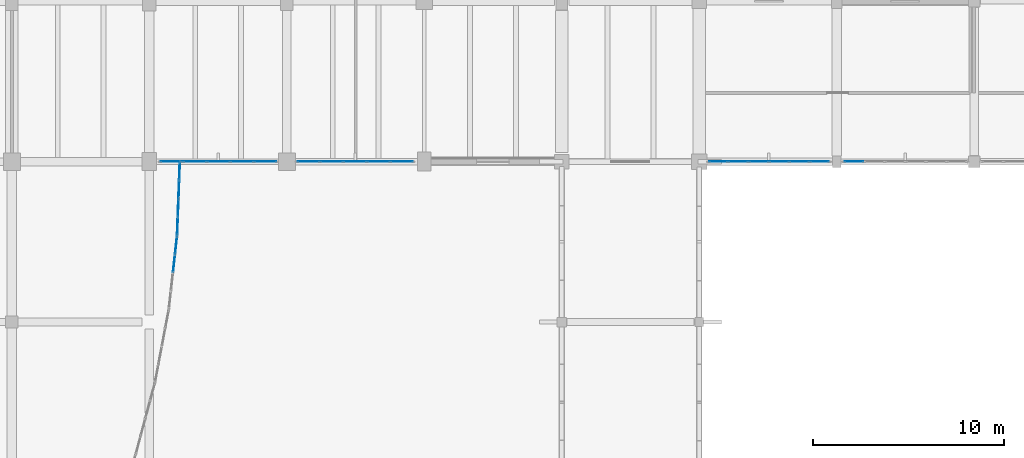
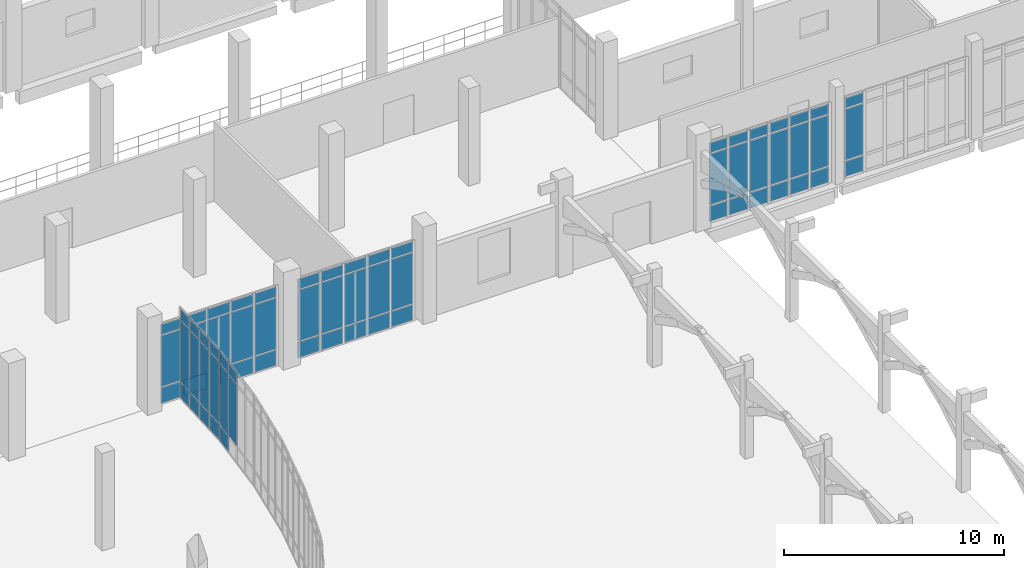
# One storey, part 84 of 110: 68 plates, 6 elements without a shape of their own.
"""IFC4 building model written with IfcOpenShell, lengths in metres."""

from ifc_helpers import new_model, si_unit, direction, frame, origin, origin_2d, place, context, subcontext, project, spatial, rectangle, extrude, material, layer, layer_set, type_object, element, aggregate, save


model = new_model("IFC4")

# Units and contexts
model_context = context("Model", 3, precision=1e-05, world=origin(), true_north=direction((0.0, 1.0)))
body_context = subcontext(model_context, "Body", "Model", "MODEL_VIEW")
ifc_project = project(units=[si_unit("LENGTHUNIT", "METRE"), si_unit("AREAUNIT", "SQUARE_METRE"), si_unit("VOLUMEUNIT", "CUBIC_METRE"), si_unit("PLANEANGLEUNIT", "RADIAN"), si_unit("MASSUNIT", "GRAM", prefix="KILO")], contexts=[model_context])

# Site, building, storey
site_placement = place(None, origin())
site = spatial("IfcSite", under=ifc_project, at=site_placement, CompositionType="ELEMENT")
building_placement = place(site_placement, origin())
building = spatial("IfcBuilding", under=site, at=building_placement, Name="Kalluvel Institute of Natural Sciences", CompositionType="ELEMENT")
storey_placement = place(building_placement, origin())
storey = spatial("IfcBuildingStorey", under=building, at=storey_placement, Name="L00", CompositionType="ELEMENT", Elevation=0.0)

# Curtain wall, plates
ifc_material_1 = material(Name="Aluminium AW-6063 T6", Category="aluminium")
curtain_wall_type_1 = type_object("IfcCurtainWallType", Name="CW-WET-54", PredefinedType="USERDEFINED", material=ifc_material_1)
curtain_wall_1_placement = place(storey_placement, origin())
curtain_wall_1 = element("IfcCurtainWall", 1, at=curtain_wall_1_placement, inside=storey, type_object=curtain_wall_type_1, Name="L00 Gothic lancet curtain wall CWA-L00-X865-Y1028", ObjectType="UNITISED LANCET FACADE", PredefinedType="USERDEFINED")
ifc_material_2 = material(Name="Solar-Control Low-E Laminated Glass", Category="glass")
ifc_layer_1 = layer(ifc_material_2, 0.028076171875)
ifc_layer_set_1 = layer_set([ifc_layer_1], Name="Solar-Control Low-E Laminated Glass")
plate_type_1 = type_object("IfcPlateType", Name="CWP-DGU-28", PredefinedType="CURTAIN_PANEL", material=ifc_layer_set_1)
plate_1_placement = place(storey_placement, frame((87.157470703125, 102.800048828125, 0.06005859375), z_axis=(0.0, 0.0, 1.0), x_axis=(1.0, 0.0, 0.0)))
plate_1 = element("IfcPlate", 2, at=plate_1_placement, type_object=plate_type_1, Name="CW-02 panel 1.1", PredefinedType="CURTAIN_PANEL", context=body_context, shape_type="SweptSolid", body=[
    extrude(rectangle(XDim=1.14501953125, YDim=0.028076171875, at=origin_2d()), origin(), (0.0, 0.0, 1.0), 0.860107421875),
])
plate_2_placement = place(storey_placement, frame((87.157470703125, 102.800048828125, 0.97998046875), z_axis=(0.0, 0.0, 1.0), x_axis=(1.0, 0.0, 0.0)))
plate_2 = element("IfcPlate", 3, at=plate_2_placement, type_object=plate_type_1, Name="CW-02 panel 1.2", PredefinedType="CURTAIN_PANEL", context=body_context, shape_type="SweptSolid", body=[
    extrude(rectangle(XDim=1.14501953125, YDim=0.028076171875, at=origin_2d()), origin(), (0.0, 0.0, 1.0), 2.820068359375),
])
plate_3_placement = place(storey_placement, frame((87.157470703125, 102.800048828125, 3.85986328125), z_axis=(0.0, 0.0, 1.0), x_axis=(1.0, 0.0, 0.0)))
plate_3 = element("IfcPlate", 4, at=plate_3_placement, type_object=plate_type_1, Name="CW-02 panel 1.3", PredefinedType="CURTAIN_PANEL", context=body_context, shape_type="SweptSolid", body=[
    extrude(rectangle(XDim=1.14501953125, YDim=0.028076171875, at=origin_2d()), origin(), (0.0, 0.0, 1.0), 0.56005859375),
])
plate_4_placement = place(storey_placement, frame((88.37744140625, 102.800048828125, 0.06005859375), z_axis=(0.0, 0.0, 1.0), x_axis=(1.0, 0.0, 0.0)))
plate_4 = element("IfcPlate", 5, at=plate_4_placement, type_object=plate_type_1, Name="CW-02 panel 2.1", PredefinedType="CURTAIN_PANEL", context=body_context, shape_type="SweptSolid", body=[
    extrude(rectangle(XDim=1.175048828125, YDim=0.028076171875, at=origin_2d()), origin(), (0.0, 0.0, 1.0), 0.860107421875),
])
plate_5_placement = place(storey_placement, frame((88.37744140625, 102.800048828125, 0.97998046875), z_axis=(0.0, 0.0, 1.0), x_axis=(1.0, 0.0, 0.0)))
plate_5 = element("IfcPlate", 6, at=plate_5_placement, type_object=plate_type_1, Name="CW-02 panel 2.2", PredefinedType="CURTAIN_PANEL", context=body_context, shape_type="SweptSolid", body=[
    extrude(rectangle(XDim=1.175048828125, YDim=0.028076171875, at=origin_2d()), origin(), (0.0, 0.0, 1.0), 2.820068359375),
])
plate_6_placement = place(storey_placement, frame((88.37744140625, 102.800048828125, 3.85986328125), z_axis=(0.0, 0.0, 1.0), x_axis=(1.0, 0.0, 0.0)))
plate_6 = element("IfcPlate", 7, at=plate_6_placement, type_object=plate_type_1, Name="CW-02 panel 2.3", PredefinedType="CURTAIN_PANEL", context=body_context, shape_type="SweptSolid", body=[
    extrude(rectangle(XDim=1.175048828125, YDim=0.028076171875, at=origin_2d()), origin(), (0.0, 0.0, 1.0), 0.56005859375),
])
plate_7_placement = place(storey_placement, frame((89.612548828125, 102.800048828125, 0.06005859375), z_axis=(0.0, 0.0, 1.0), x_axis=(1.0, 0.0, 0.0)))
plate_7 = element("IfcPlate", 8, at=plate_7_placement, type_object=plate_type_1, Name="CW-02 panel 3.1", PredefinedType="CURTAIN_PANEL", context=body_context, shape_type="SweptSolid", body=[
    extrude(rectangle(XDim=1.175048828125, YDim=0.028076171875, at=origin_2d()), origin(), (0.0, 0.0, 1.0), 0.860107421875),
])
plate_8_placement = place(storey_placement, frame((89.612548828125, 102.800048828125, 0.97998046875), z_axis=(0.0, 0.0, 1.0), x_axis=(1.0, 0.0, 0.0)))
plate_8 = element("IfcPlate", 9, at=plate_8_placement, type_object=plate_type_1, Name="CW-02 panel 3.2", PredefinedType="CURTAIN_PANEL", context=body_context, shape_type="SweptSolid", body=[
    extrude(rectangle(XDim=1.175048828125, YDim=0.028076171875, at=origin_2d()), origin(), (0.0, 0.0, 1.0), 2.820068359375),
])
plate_9_placement = place(storey_placement, frame((89.612548828125, 102.800048828125, 3.85986328125), z_axis=(0.0, 0.0, 1.0), x_axis=(1.0, 0.0, 0.0)))
plate_9 = element("IfcPlate", 10, at=plate_9_placement, type_object=plate_type_1, Name="CW-02 panel 3.3", PredefinedType="CURTAIN_PANEL", context=body_context, shape_type="SweptSolid", body=[
    extrude(rectangle(XDim=1.175048828125, YDim=0.028076171875, at=origin_2d()), origin(), (0.0, 0.0, 1.0), 0.56005859375),
])
plate_10_placement = place(storey_placement, frame((90.847412109375, 102.800048828125, 0.06005859375), z_axis=(0.0, 0.0, 1.0), x_axis=(1.0, 0.0, 0.0)))
plate_10 = element("IfcPlate", 11, at=plate_10_placement, type_object=plate_type_1, Name="CW-02 panel 4.1", PredefinedType="CURTAIN_PANEL", context=body_context, shape_type="SweptSolid", body=[
    extrude(rectangle(XDim=1.175048828125, YDim=0.028076171875, at=origin_2d()), origin(), (0.0, 0.0, 1.0), 0.860107421875),
])
plate_11_placement = place(storey_placement, frame((90.847412109375, 102.800048828125, 0.97998046875), z_axis=(0.0, 0.0, 1.0), x_axis=(1.0, 0.0, 0.0)))
plate_11 = element("IfcPlate", 12, at=plate_11_placement, type_object=plate_type_1, Name="CW-02 panel 4.2", PredefinedType="CURTAIN_PANEL", context=body_context, shape_type="SweptSolid", body=[
    extrude(rectangle(XDim=1.175048828125, YDim=0.028076171875, at=origin_2d()), origin(), (0.0, 0.0, 1.0), 2.820068359375),
])
plate_12_placement = place(storey_placement, frame((90.847412109375, 102.800048828125, 3.85986328125), z_axis=(0.0, 0.0, 1.0), x_axis=(1.0, 0.0, 0.0)))
plate_12 = element("IfcPlate", 13, at=plate_12_placement, type_object=plate_type_1, Name="CW-02 panel 4.3", PredefinedType="CURTAIN_PANEL", context=body_context, shape_type="SweptSolid", body=[
    extrude(rectangle(XDim=1.175048828125, YDim=0.028076171875, at=origin_2d()), origin(), (0.0, 0.0, 1.0), 0.56005859375),
])
plate_13_placement = place(storey_placement, frame((92.0673828125, 102.800048828125, 0.06005859375), z_axis=(0.0, 0.0, 1.0), x_axis=(1.0, 0.0, 0.0)))
plate_13 = element("IfcPlate", 14, at=plate_13_placement, type_object=plate_type_1, Name="CW-02 panel 5.1", PredefinedType="CURTAIN_PANEL", context=body_context, shape_type="SweptSolid", body=[
    extrude(rectangle(XDim=1.14501953125, YDim=0.028076171875, at=origin_2d()), origin(), (0.0, 0.0, 1.0), 0.860107421875),
])
plate_14_placement = place(storey_placement, frame((92.0673828125, 102.800048828125, 0.97998046875), z_axis=(0.0, 0.0, 1.0), x_axis=(1.0, 0.0, 0.0)))
plate_14 = element("IfcPlate", 15, at=plate_14_placement, type_object=plate_type_1, Name="CW-02 panel 5.2", PredefinedType="CURTAIN_PANEL", context=body_context, shape_type="SweptSolid", body=[
    extrude(rectangle(XDim=1.14501953125, YDim=0.028076171875, at=origin_2d()), origin(), (0.0, 0.0, 1.0), 2.820068359375),
])
plate_15_placement = place(storey_placement, frame((92.0673828125, 102.800048828125, 3.85986328125), z_axis=(0.0, 0.0, 1.0), x_axis=(1.0, 0.0, 0.0)))
plate_15 = element("IfcPlate", 16, at=plate_15_placement, type_object=plate_type_1, Name="CW-02 panel 5.3", PredefinedType="CURTAIN_PANEL", context=body_context, shape_type="SweptSolid", body=[
    extrude(rectangle(XDim=1.14501953125, YDim=0.028076171875, at=origin_2d()), origin(), (0.0, 0.0, 1.0), 0.56005859375),
])
aggregate(curtain_wall_1, [plate_1, plate_2, plate_3, plate_4, plate_5, plate_6, plate_7, plate_8, plate_9, plate_10, plate_11, plate_12, plate_13, plate_14, plate_15])

curtain_wall_2_placement = place(storey_placement, origin())
curtain_wall_2 = element("IfcCurtainWall", 17, at=curtain_wall_2_placement, inside=storey, type_object=curtain_wall_type_1, Name="L00 Gothic lancet curtain wall CWA-L00-X937-Y1028", ObjectType="UNITISED LANCET FACADE", PredefinedType="USERDEFINED")
plate_16_placement = place(storey_placement, frame((94.330078125, 102.800048828125, 0.06005859375), z_axis=(0.0, 0.0, 1.0), x_axis=(1.0, 0.0, 0.0)))
plate_16 = element("IfcPlate", 18, at=plate_16_placement, type_object=plate_type_1, Name="CW-02 panel 1.1", PredefinedType="CURTAIN_PANEL", context=body_context, shape_type="SweptSolid", body=[
    extrude(rectangle(XDim=1.139892578125, YDim=0.028076171875, at=origin_2d()), origin(), (0.0, 0.0, 1.0), 0.860107421875),
])
plate_17_placement = place(storey_placement, frame((94.330078125, 102.800048828125, 0.97998046875), z_axis=(0.0, 0.0, 1.0), x_axis=(1.0, 0.0, 0.0)))
plate_17 = element("IfcPlate", 19, at=plate_17_placement, type_object=plate_type_1, Name="CW-02 panel 1.2", PredefinedType="CURTAIN_PANEL", context=body_context, shape_type="SweptSolid", body=[
    extrude(rectangle(XDim=1.139892578125, YDim=0.028076171875, at=origin_2d()), origin(), (0.0, 0.0, 1.0), 2.820068359375),
])
plate_18_placement = place(storey_placement, frame((94.330078125, 102.800048828125, 3.85986328125), z_axis=(0.0, 0.0, 1.0), x_axis=(1.0, 0.0, 0.0)))
plate_18 = element("IfcPlate", 20, at=plate_18_placement, type_object=plate_type_1, Name="CW-02 panel 1.3", PredefinedType="CURTAIN_PANEL", context=body_context, shape_type="SweptSolid", body=[
    extrude(rectangle(XDim=1.139892578125, YDim=0.028076171875, at=origin_2d()), origin(), (0.0, 0.0, 1.0), 0.56005859375),
])
plate_19_placement = place(storey_placement, frame((95.544921875, 102.800048828125, 0.06005859375), z_axis=(0.0, 0.0, 1.0), x_axis=(1.0, 0.0, 0.0)))
plate_19 = element("IfcPlate", 21, at=plate_19_placement, type_object=plate_type_1, Name="CW-02 panel 2.1", PredefinedType="CURTAIN_PANEL", context=body_context, shape_type="SweptSolid", body=[
    extrude(rectangle(XDim=1.169921875, YDim=0.028076171875, at=origin_2d()), origin(), (0.0, 0.0, 1.0), 0.860107421875),
])
plate_20_placement = place(storey_placement, frame((95.544921875, 102.800048828125, 0.97998046875), z_axis=(0.0, 0.0, 1.0), x_axis=(1.0, 0.0, 0.0)))
plate_20 = element("IfcPlate", 22, at=plate_20_placement, type_object=plate_type_1, Name="CW-02 panel 2.2", PredefinedType="CURTAIN_PANEL", context=body_context, shape_type="SweptSolid", body=[
    extrude(rectangle(XDim=1.169921875, YDim=0.028076171875, at=origin_2d()), origin(), (0.0, 0.0, 1.0), 2.820068359375),
])
plate_21_placement = place(storey_placement, frame((95.544921875, 102.800048828125, 3.85986328125), z_axis=(0.0, 0.0, 1.0), x_axis=(1.0, 0.0, 0.0)))
plate_21 = element("IfcPlate", 23, at=plate_21_placement, type_object=plate_type_1, Name="CW-02 panel 2.3", PredefinedType="CURTAIN_PANEL", context=body_context, shape_type="SweptSolid", body=[
    extrude(rectangle(XDim=1.169921875, YDim=0.028076171875, at=origin_2d()), origin(), (0.0, 0.0, 1.0), 0.56005859375),
])
plate_22_placement = place(storey_placement, frame((96.77490234375, 102.800048828125, 0.06005859375), z_axis=(0.0, 0.0, 1.0), x_axis=(1.0, 0.0, 0.0)))
plate_22 = element("IfcPlate", 24, at=plate_22_placement, type_object=plate_type_1, Name="CW-02 panel 3.1", PredefinedType="CURTAIN_PANEL", context=body_context, shape_type="SweptSolid", body=[
    extrude(rectangle(XDim=1.169921875, YDim=0.028076171875, at=origin_2d()), origin(), (0.0, 0.0, 1.0), 0.860107421875),
])
plate_23_placement = place(storey_placement, frame((96.77490234375, 102.800048828125, 0.97998046875), z_axis=(0.0, 0.0, 1.0), x_axis=(1.0, 0.0, 0.0)))
plate_23 = element("IfcPlate", 25, at=plate_23_placement, type_object=plate_type_1, Name="CW-02 panel 3.2", PredefinedType="CURTAIN_PANEL", context=body_context, shape_type="SweptSolid", body=[
    extrude(rectangle(XDim=1.169921875, YDim=0.028076171875, at=origin_2d()), origin(), (0.0, 0.0, 1.0), 2.820068359375),
])
plate_24_placement = place(storey_placement, frame((96.77490234375, 102.800048828125, 3.85986328125), z_axis=(0.0, 0.0, 1.0), x_axis=(1.0, 0.0, 0.0)))
plate_24 = element("IfcPlate", 26, at=plate_24_placement, type_object=plate_type_1, Name="CW-02 panel 3.3", PredefinedType="CURTAIN_PANEL", context=body_context, shape_type="SweptSolid", body=[
    extrude(rectangle(XDim=1.169921875, YDim=0.028076171875, at=origin_2d()), origin(), (0.0, 0.0, 1.0), 0.56005859375),
])
plate_25_placement = place(storey_placement, frame((98.0048828125, 102.800048828125, 0.06005859375), z_axis=(0.0, 0.0, 1.0), x_axis=(1.0, 0.0, 0.0)))
plate_25 = element("IfcPlate", 27, at=plate_25_placement, type_object=plate_type_1, Name="CW-02 panel 4.1", PredefinedType="CURTAIN_PANEL", context=body_context, shape_type="SweptSolid", body=[
    extrude(rectangle(XDim=1.169921875, YDim=0.028076171875, at=origin_2d()), origin(), (0.0, 0.0, 1.0), 0.860107421875),
])
plate_26_placement = place(storey_placement, frame((98.0048828125, 102.800048828125, 0.97998046875), z_axis=(0.0, 0.0, 1.0), x_axis=(1.0, 0.0, 0.0)))
plate_26 = element("IfcPlate", 28, at=plate_26_placement, type_object=plate_type_1, Name="CW-02 panel 4.2", PredefinedType="CURTAIN_PANEL", context=body_context, shape_type="SweptSolid", body=[
    extrude(rectangle(XDim=1.169921875, YDim=0.028076171875, at=origin_2d()), origin(), (0.0, 0.0, 1.0), 2.820068359375),
])
plate_27_placement = place(storey_placement, frame((98.0048828125, 102.800048828125, 3.85986328125), z_axis=(0.0, 0.0, 1.0), x_axis=(1.0, 0.0, 0.0)))
plate_27 = element("IfcPlate", 29, at=plate_27_placement, type_object=plate_type_1, Name="CW-02 panel 4.3", PredefinedType="CURTAIN_PANEL", context=body_context, shape_type="SweptSolid", body=[
    extrude(rectangle(XDim=1.169921875, YDim=0.028076171875, at=origin_2d()), origin(), (0.0, 0.0, 1.0), 0.56005859375),
])
plate_28_placement = place(storey_placement, frame((99.219970703125, 102.800048828125, 0.06005859375), z_axis=(0.0, 0.0, 1.0), x_axis=(1.0, 0.0, 0.0)))
plate_28 = element("IfcPlate", 30, at=plate_28_placement, type_object=plate_type_1, Name="CW-02 panel 5.1", PredefinedType="CURTAIN_PANEL", context=body_context, shape_type="SweptSolid", body=[
    extrude(rectangle(XDim=1.139892578125, YDim=0.028076171875, at=origin_2d()), origin(), (0.0, 0.0, 1.0), 0.860107421875),
])
plate_29_placement = place(storey_placement, frame((99.219970703125, 102.800048828125, 0.97998046875), z_axis=(0.0, 0.0, 1.0), x_axis=(1.0, 0.0, 0.0)))
plate_29 = element("IfcPlate", 31, at=plate_29_placement, type_object=plate_type_1, Name="CW-02 panel 5.2", PredefinedType="CURTAIN_PANEL", context=body_context, shape_type="SweptSolid", body=[
    extrude(rectangle(XDim=1.139892578125, YDim=0.028076171875, at=origin_2d()), origin(), (0.0, 0.0, 1.0), 2.820068359375),
])
plate_30_placement = place(storey_placement, frame((99.219970703125, 102.800048828125, 3.85986328125), z_axis=(0.0, 0.0, 1.0), x_axis=(1.0, 0.0, 0.0)))
plate_30 = element("IfcPlate", 32, at=plate_30_placement, type_object=plate_type_1, Name="CW-02 panel 5.3", PredefinedType="CURTAIN_PANEL", context=body_context, shape_type="SweptSolid", body=[
    extrude(rectangle(XDim=1.139892578125, YDim=0.028076171875, at=origin_2d()), origin(), (0.0, 0.0, 1.0), 0.56005859375),
])
aggregate(curtain_wall_2, [plate_16, plate_17, plate_18, plate_19, plate_20, plate_21, plate_22, plate_23, plate_24, plate_25, plate_26, plate_27, plate_28, plate_29, plate_30])

curtain_wall_type_2 = type_object("IfcCurtainWallType", Name="CW-CLN-54", PredefinedType="USERDEFINED", material=ifc_material_1)
curtain_wall_3_placement = place(storey_placement, origin())
curtain_wall_3 = element("IfcCurtainWall", 33, at=curtain_wall_3_placement, inside=storey, type_object=curtain_wall_type_2, Name="L00 Gothic lancet curtain wall CWA-L00-X1152-Y1028", ObjectType="UNITISED LANCET FACADE", PredefinedType="USERDEFINED")
plate_31_placement = place(storey_placement, frame((115.799560546875, 102.800048828125, 0.06494140625), z_axis=(0.0, 0.0, 1.0), x_axis=(1.0, 0.0, 0.0)))
plate_31 = element("IfcPlate", 34, at=plate_31_placement, type_object=plate_type_1, Name="CW-09 panel 1.1", PredefinedType="CURTAIN_PANEL", context=body_context, shape_type="SweptSolid", body=[
    extrude(rectangle(XDim=0.96923828125, YDim=0.028076171875, at=origin_2d()), origin(), (0.0, 0.0, 1.0), 0.8525390625),
])
plate_32_placement = place(storey_placement, frame((115.799560546875, 102.800048828125, 0.982421875), z_axis=(0.0, 0.0, 1.0), x_axis=(1.0, 0.0, 0.0)))
plate_32 = element("IfcPlate", 35, at=plate_32_placement, type_object=plate_type_1, Name="CW-09 panel 1.2", PredefinedType="CURTAIN_PANEL", context=body_context, shape_type="SweptSolid", body=[
    extrude(rectangle(XDim=0.96923828125, YDim=0.028076171875, at=origin_2d()), origin(), (0.0, 0.0, 1.0), 2.81494140625),
])
plate_33_placement = place(storey_placement, frame((115.799560546875, 102.800048828125, 3.8623046875), z_axis=(0.0, 0.0, 1.0), x_axis=(1.0, 0.0, 0.0)))
plate_33 = element("IfcPlate", 36, at=plate_33_placement, type_object=plate_type_1, Name="CW-09 panel 1.3", PredefinedType="CURTAIN_PANEL", context=body_context, shape_type="SweptSolid", body=[
    extrude(rectangle(XDim=0.96923828125, YDim=0.028076171875, at=origin_2d()), origin(), (0.0, 0.0, 1.0), 0.552490234375),
])
plate_34_placement = place(storey_placement, frame((116.85009765625, 102.800048828125, 0.06494140625), z_axis=(0.0, 0.0, 1.0), x_axis=(1.0, 0.0, 0.0)))
plate_34 = element("IfcPlate", 37, at=plate_34_placement, type_object=plate_type_1, Name="CW-09 panel 2.1", PredefinedType="CURTAIN_PANEL", context=body_context, shape_type="SweptSolid", body=[
    extrude(rectangle(XDim=1.001708984375, YDim=0.028076171875, at=origin_2d()), origin(), (0.0, 0.0, 1.0), 0.8525390625),
])
plate_35_placement = place(storey_placement, frame((116.85009765625, 102.800048828125, 0.982421875), z_axis=(0.0, 0.0, 1.0), x_axis=(1.0, 0.0, 0.0)))
plate_35 = element("IfcPlate", 38, at=plate_35_placement, type_object=plate_type_1, Name="CW-09 panel 2.2", PredefinedType="CURTAIN_PANEL", context=body_context, shape_type="SweptSolid", body=[
    extrude(rectangle(XDim=1.001708984375, YDim=0.028076171875, at=origin_2d()), origin(), (0.0, 0.0, 1.0), 2.81494140625),
])
plate_36_placement = place(storey_placement, frame((116.85009765625, 102.800048828125, 3.8623046875), z_axis=(0.0, 0.0, 1.0), x_axis=(1.0, 0.0, 0.0)))
plate_36 = element("IfcPlate", 39, at=plate_36_placement, type_object=plate_type_1, Name="CW-09 panel 2.3", PredefinedType="CURTAIN_PANEL", context=body_context, shape_type="SweptSolid", body=[
    extrude(rectangle(XDim=1.001708984375, YDim=0.028076171875, at=origin_2d()), origin(), (0.0, 0.0, 1.0), 0.552490234375),
])
plate_37_placement = place(storey_placement, frame((117.916748046875, 102.800048828125, 0.06494140625), z_axis=(0.0, 0.0, 1.0), x_axis=(1.0, 0.0, 0.0)))
plate_37 = element("IfcPlate", 40, at=plate_37_placement, type_object=plate_type_1, Name="CW-09 panel 3.1", PredefinedType="CURTAIN_PANEL", context=body_context, shape_type="SweptSolid", body=[
    extrude(rectangle(XDim=1.001708984375, YDim=0.028076171875, at=origin_2d()), origin(), (0.0, 0.0, 1.0), 0.8525390625),
])
plate_38_placement = place(storey_placement, frame((117.916748046875, 102.800048828125, 0.982421875), z_axis=(0.0, 0.0, 1.0), x_axis=(1.0, 0.0, 0.0)))
plate_38 = element("IfcPlate", 41, at=plate_38_placement, type_object=plate_type_1, Name="CW-09 panel 3.2", PredefinedType="CURTAIN_PANEL", context=body_context, shape_type="SweptSolid", body=[
    extrude(rectangle(XDim=1.001708984375, YDim=0.028076171875, at=origin_2d()), origin(), (0.0, 0.0, 1.0), 2.81494140625),
])
plate_39_placement = place(storey_placement, frame((117.916748046875, 102.800048828125, 3.8623046875), z_axis=(0.0, 0.0, 1.0), x_axis=(1.0, 0.0, 0.0)))
plate_39 = element("IfcPlate", 42, at=plate_39_placement, type_object=plate_type_1, Name="CW-09 panel 3.3", PredefinedType="CURTAIN_PANEL", context=body_context, shape_type="SweptSolid", body=[
    extrude(rectangle(XDim=1.001708984375, YDim=0.028076171875, at=origin_2d()), origin(), (0.0, 0.0, 1.0), 0.552490234375),
])
plate_40_placement = place(storey_placement, frame((118.9833984375, 102.800048828125, 0.06494140625), z_axis=(0.0, 0.0, 1.0), x_axis=(1.0, 0.0, 0.0)))
plate_40 = element("IfcPlate", 43, at=plate_40_placement, type_object=plate_type_1, Name="CW-09 panel 4.1", PredefinedType="CURTAIN_PANEL", context=body_context, shape_type="SweptSolid", body=[
    extrude(rectangle(XDim=1.001708984375, YDim=0.028076171875, at=origin_2d()), origin(), (0.0, 0.0, 1.0), 0.8525390625),
])
plate_41_placement = place(storey_placement, frame((118.9833984375, 102.800048828125, 0.982421875), z_axis=(0.0, 0.0, 1.0), x_axis=(1.0, 0.0, 0.0)))
plate_41 = element("IfcPlate", 44, at=plate_41_placement, type_object=plate_type_1, Name="CW-09 panel 4.2", PredefinedType="CURTAIN_PANEL", context=body_context, shape_type="SweptSolid", body=[
    extrude(rectangle(XDim=1.001708984375, YDim=0.028076171875, at=origin_2d()), origin(), (0.0, 0.0, 1.0), 2.81494140625),
])
plate_42_placement = place(storey_placement, frame((118.9833984375, 102.800048828125, 3.8623046875), z_axis=(0.0, 0.0, 1.0), x_axis=(1.0, 0.0, 0.0)))
plate_42 = element("IfcPlate", 45, at=plate_42_placement, type_object=plate_type_1, Name="CW-09 panel 4.3", PredefinedType="CURTAIN_PANEL", context=body_context, shape_type="SweptSolid", body=[
    extrude(rectangle(XDim=1.001708984375, YDim=0.028076171875, at=origin_2d()), origin(), (0.0, 0.0, 1.0), 0.552490234375),
])
plate_43_placement = place(storey_placement, frame((120.050048828125, 102.800048828125, 0.06494140625), z_axis=(0.0, 0.0, 1.0), x_axis=(1.0, 0.0, 0.0)))
plate_43 = element("IfcPlate", 46, at=plate_43_placement, type_object=plate_type_1, Name="CW-09 panel 5.1", PredefinedType="CURTAIN_PANEL", context=body_context, shape_type="SweptSolid", body=[
    extrude(rectangle(XDim=1.001708984375, YDim=0.028076171875, at=origin_2d()), origin(), (0.0, 0.0, 1.0), 0.8525390625),
])
plate_44_placement = place(storey_placement, frame((120.050048828125, 102.800048828125, 0.982421875), z_axis=(0.0, 0.0, 1.0), x_axis=(1.0, 0.0, 0.0)))
plate_44 = element("IfcPlate", 47, at=plate_44_placement, type_object=plate_type_1, Name="CW-09 panel 5.2", PredefinedType="CURTAIN_PANEL", context=body_context, shape_type="SweptSolid", body=[
    extrude(rectangle(XDim=1.001708984375, YDim=0.028076171875, at=origin_2d()), origin(), (0.0, 0.0, 1.0), 2.81494140625),
])
plate_45_placement = place(storey_placement, frame((120.050048828125, 102.800048828125, 3.8623046875), z_axis=(0.0, 0.0, 1.0), x_axis=(1.0, 0.0, 0.0)))
plate_45 = element("IfcPlate", 48, at=plate_45_placement, type_object=plate_type_1, Name="CW-09 panel 5.3", PredefinedType="CURTAIN_PANEL", context=body_context, shape_type="SweptSolid", body=[
    extrude(rectangle(XDim=1.001708984375, YDim=0.028076171875, at=origin_2d()), origin(), (0.0, 0.0, 1.0), 0.552490234375),
])
plate_46_placement = place(storey_placement, frame((121.100341796875, 102.800048828125, 0.06494140625), z_axis=(0.0, 0.0, 1.0), x_axis=(1.0, 0.0, 0.0)))
plate_46 = element("IfcPlate", 49, at=plate_46_placement, type_object=plate_type_1, Name="CW-09 panel 6.1", PredefinedType="CURTAIN_PANEL", context=body_context, shape_type="SweptSolid", body=[
    extrude(rectangle(XDim=0.96923828125, YDim=0.028076171875, at=origin_2d()), origin(), (0.0, 0.0, 1.0), 0.8525390625),
])
plate_47_placement = place(storey_placement, frame((121.100341796875, 102.800048828125, 0.982421875), z_axis=(0.0, 0.0, 1.0), x_axis=(1.0, 0.0, 0.0)))
plate_47 = element("IfcPlate", 50, at=plate_47_placement, type_object=plate_type_1, Name="CW-09 panel 6.2", PredefinedType="CURTAIN_PANEL", context=body_context, shape_type="SweptSolid", body=[
    extrude(rectangle(XDim=0.96923828125, YDim=0.028076171875, at=origin_2d()), origin(), (0.0, 0.0, 1.0), 2.81494140625),
])
plate_48_placement = place(storey_placement, frame((121.100341796875, 102.800048828125, 3.8623046875), z_axis=(0.0, 0.0, 1.0), x_axis=(1.0, 0.0, 0.0)))
plate_48 = element("IfcPlate", 51, at=plate_48_placement, type_object=plate_type_1, Name="CW-09 panel 6.3", PredefinedType="CURTAIN_PANEL", context=body_context, shape_type="SweptSolid", body=[
    extrude(rectangle(XDim=0.96923828125, YDim=0.028076171875, at=origin_2d()), origin(), (0.0, 0.0, 1.0), 0.552490234375),
])
aggregate(curtain_wall_3, [plate_31, plate_32, plate_33, plate_34, plate_35, plate_36, plate_37, plate_38, plate_39, plate_40, plate_41, plate_42, plate_43, plate_44, plate_45, plate_46, plate_47, plate_48])

curtain_wall_4_placement = place(storey_placement, origin())
curtain_wall_4 = element("IfcCurtainWall", 52, at=curtain_wall_4_placement, inside=storey, type_object=curtain_wall_type_2, Name="L00 Gothic lancet curtain wall CWA-L00-X1224-Y1028", ObjectType="UNITISED LANCET FACADE", PredefinedType="USERDEFINED")
plate_49_placement = place(storey_placement, frame((122.907958984375, 102.800048828125, 0.06494140625), z_axis=(0.0, 0.0, 1.0), x_axis=(1.0, 0.0, 0.0)))
plate_49 = element("IfcPlate", 53, at=plate_49_placement, type_object=plate_type_1, Name="CW-09 panel 1.1", PredefinedType="CURTAIN_PANEL", context=body_context, shape_type="SweptSolid", body=[
    extrude(rectangle(XDim=0.98583984375, YDim=0.028076171875, at=origin_2d()), origin(), (0.0, 0.0, 1.0), 0.8525390625),
])
plate_50_placement = place(storey_placement, frame((122.907958984375, 102.800048828125, 0.982421875), z_axis=(0.0, 0.0, 1.0), x_axis=(1.0, 0.0, 0.0)))
plate_50 = element("IfcPlate", 54, at=plate_50_placement, type_object=plate_type_1, Name="CW-09 panel 1.2", PredefinedType="CURTAIN_PANEL", context=body_context, shape_type="SweptSolid", body=[
    extrude(rectangle(XDim=0.98583984375, YDim=0.028076171875, at=origin_2d()), origin(), (0.0, 0.0, 1.0), 2.81494140625),
])
plate_51_placement = place(storey_placement, frame((122.907958984375, 102.800048828125, 3.8623046875), z_axis=(0.0, 0.0, 1.0), x_axis=(1.0, 0.0, 0.0)))
plate_51 = element("IfcPlate", 55, at=plate_51_placement, type_object=plate_type_1, Name="CW-09 panel 1.3", PredefinedType="CURTAIN_PANEL", context=body_context, shape_type="SweptSolid", body=[
    extrude(rectangle(XDim=0.98583984375, YDim=0.028076171875, at=origin_2d()), origin(), (0.0, 0.0, 1.0), 0.552490234375),
])
aggregate(curtain_wall_4, [plate_49, plate_50, plate_51])

curtain_wall_type_3 = type_object("IfcCurtainWallType", Name="CW-ATR-L00", PredefinedType="USERDEFINED", material=ifc_material_1)
curtain_wall_5_placement = place(storey_placement, origin())
curtain_wall_5 = element("IfcCurtainWall", 56, at=curtain_wall_5_placement, inside=storey, type_object=curtain_wall_type_3, Name="L00 Gothic lancet curtain wall CWA-L00-X870-Y950", ObjectType="UNITISED LANCET FACADE", PredefinedType="USERDEFINED")
ifc_layer_2 = layer(ifc_material_2, 0.035888671875)
ifc_layer_set_2 = layer_set([ifc_layer_2], Name="Solar-Control Low-E Laminated Glass")
plate_type_2 = type_object("IfcPlateType", Name="CWP-DGU-36", PredefinedType="CURTAIN_PANEL", material=ifc_layer_set_2)
plate_52_placement = place(storey_placement, frame((87.291259765625, 97.46484375, 0.97998046875), z_axis=(0.0, 0.0, 1.0), x_axis=(0.111966818808, 0.993711945931, 0.0)))
plate_52 = element("IfcPlate", 57, at=plate_52_placement, type_object=plate_type_2, Name="CW-06 panel 3.2", PredefinedType="CURTAIN_PANEL", context=body_context, shape_type="SweptSolid", body=[
    extrude(rectangle(XDim=0.912109375, YDim=0.035888671875, at=origin_2d()), origin(), (0.0, 0.0, 1.0), 3.389892578125),
])
plate_53_placement = place(storey_placement, frame((87.291259765625, 97.46484375, 4.429931640625), z_axis=(0.0, 0.0, 1.0), x_axis=(0.111966818808, 0.993711945931, 0.0)))
plate_53 = element("IfcPlate", 58, at=plate_53_placement, type_object=plate_type_2, Name="CW-06 panel 3.3", PredefinedType="CURTAIN_PANEL", context=body_context, shape_type="SweptSolid", body=[
    extrude(rectangle(XDim=0.912109375, YDim=0.035888671875, at=origin_2d()), origin(), (0.0, 0.0, 1.0), 0.56005859375),
])
plate_54_placement = place(storey_placement, frame((87.3984375, 98.416015625, 0.06005859375), z_axis=(0.0, 0.0, 1.0), x_axis=(0.111966818808, 0.993711945931, 0.0)))
plate_54 = element("IfcPlate", 59, at=plate_54_placement, type_object=plate_type_2, Name="CW-06 panel 4.1", PredefinedType="CURTAIN_PANEL", context=body_context, shape_type="SweptSolid", body=[
    extrude(rectangle(XDim=0.882080078125, YDim=0.035888671875, at=origin_2d()), origin(), (0.0, 0.0, 1.0), 0.860107421875),
])
plate_55_placement = place(storey_placement, frame((87.3984375, 98.416015625, 0.97998046875), z_axis=(0.0, 0.0, 1.0), x_axis=(0.111966818808, 0.993711945931, 0.0)))
plate_55 = element("IfcPlate", 60, at=plate_55_placement, type_object=plate_type_2, Name="CW-06 panel 4.2", PredefinedType="CURTAIN_PANEL", context=body_context, shape_type="SweptSolid", body=[
    extrude(rectangle(XDim=0.882080078125, YDim=0.035888671875, at=origin_2d()), origin(), (0.0, 0.0, 1.0), 3.389892578125),
])
plate_56_placement = place(storey_placement, frame((87.3984375, 98.416015625, 4.429931640625), z_axis=(0.0, 0.0, 1.0), x_axis=(0.111966818808, 0.993711945931, 0.0)))
plate_56 = element("IfcPlate", 61, at=plate_56_placement, type_object=plate_type_2, Name="CW-06 panel 4.3", PredefinedType="CURTAIN_PANEL", context=body_context, shape_type="SweptSolid", body=[
    extrude(rectangle(XDim=0.882080078125, YDim=0.035888671875, at=origin_2d()), origin(), (0.0, 0.0, 1.0), 0.56005859375),
])
aggregate(curtain_wall_5, [plate_52, plate_53, plate_54, plate_55, plate_56])

curtain_wall_6_placement = place(storey_placement, origin())
curtain_wall_6 = element("IfcCurtainWall", 62, at=curtain_wall_6_placement, inside=storey, type_object=curtain_wall_type_3, Name="L00 Gothic lancet curtain wall CWA-L00-X875-Y989", ObjectType="UNITISED LANCET FACADE", PredefinedType="USERDEFINED")
plate_57_placement = place(storey_placement, frame((87.473388671875, 99.414794921875, 0.06005859375), z_axis=(0.0, 0.0, 1.0), x_axis=(0.037390202753, 0.999300741888, 0.0)))
plate_57 = element("IfcPlate", 63, at=plate_57_placement, type_object=plate_type_2, Name="CW-06 panel 1.1", PredefinedType="CURTAIN_PANEL", context=body_context, shape_type="SweptSolid", body=[
    extrude(rectangle(XDim=0.882080078125, YDim=0.035888671875, at=origin_2d()), origin(), (0.0, 0.0, 1.0), 0.860107421875),
])
plate_58_placement = place(storey_placement, frame((87.473388671875, 99.414794921875, 0.97998046875), z_axis=(0.0, 0.0, 1.0), x_axis=(0.037390202753, 0.999300741888, 0.0)))
plate_58 = element("IfcPlate", 64, at=plate_58_placement, type_object=plate_type_2, Name="CW-06 panel 1.2", PredefinedType="CURTAIN_PANEL", context=body_context, shape_type="SweptSolid", body=[
    extrude(rectangle(XDim=0.882080078125, YDim=0.035888671875, at=origin_2d()), origin(), (0.0, 0.0, 1.0), 3.389892578125),
])
plate_59_placement = place(storey_placement, frame((87.473388671875, 99.414794921875, 4.429931640625), z_axis=(0.0, 0.0, 1.0), x_axis=(0.037390202753, 0.999300741888, 0.0)))
plate_59 = element("IfcPlate", 65, at=plate_59_placement, type_object=plate_type_2, Name="CW-06 panel 1.3", PredefinedType="CURTAIN_PANEL", context=body_context, shape_type="SweptSolid", body=[
    extrude(rectangle(XDim=0.882080078125, YDim=0.035888671875, at=origin_2d()), origin(), (0.0, 0.0, 1.0), 0.56005859375),
])
plate_60_placement = place(storey_placement, frame((87.509033203125, 100.371337890625, 0.06005859375), z_axis=(0.0, 0.0, 1.0), x_axis=(0.037390202753, 0.999300741888, 0.0)))
plate_60 = element("IfcPlate", 66, at=plate_60_placement, type_object=plate_type_2, Name="CW-06 panel 2.1", PredefinedType="CURTAIN_PANEL", context=body_context, shape_type="SweptSolid", body=[
    extrude(rectangle(XDim=0.912109375, YDim=0.035888671875, at=origin_2d()), origin(), (0.0, 0.0, 1.0), 0.860107421875),
])
plate_61_placement = place(storey_placement, frame((87.509033203125, 100.371337890625, 0.97998046875), z_axis=(0.0, 0.0, 1.0), x_axis=(0.037390202753, 0.999300741888, 0.0)))
plate_61 = element("IfcPlate", 67, at=plate_61_placement, type_object=plate_type_2, Name="CW-06 panel 2.2", PredefinedType="CURTAIN_PANEL", context=body_context, shape_type="SweptSolid", body=[
    extrude(rectangle(XDim=0.912109375, YDim=0.035888671875, at=origin_2d()), origin(), (0.0, 0.0, 1.0), 3.389892578125),
])
plate_62_placement = place(storey_placement, frame((87.509033203125, 100.371337890625, 4.429931640625), z_axis=(0.0, 0.0, 1.0), x_axis=(0.037390202753, 0.999300741888, 0.0)))
plate_62 = element("IfcPlate", 68, at=plate_62_placement, type_object=plate_type_2, Name="CW-06 panel 2.3", PredefinedType="CURTAIN_PANEL", context=body_context, shape_type="SweptSolid", body=[
    extrude(rectangle(XDim=0.912109375, YDim=0.035888671875, at=origin_2d()), origin(), (0.0, 0.0, 1.0), 0.56005859375),
])
plate_63_placement = place(storey_placement, frame((87.54541015625, 101.3427734375, 0.06005859375), z_axis=(0.0, 0.0, 1.0), x_axis=(0.037390202753, 0.999300741888, 0.0)))
plate_63 = element("IfcPlate", 69, at=plate_63_placement, type_object=plate_type_2, Name="CW-06 panel 3.1", PredefinedType="CURTAIN_PANEL", context=body_context, shape_type="SweptSolid", body=[
    extrude(rectangle(XDim=0.912109375, YDim=0.035888671875, at=origin_2d()), origin(), (0.0, 0.0, 1.0), 0.860107421875),
])
plate_64_placement = place(storey_placement, frame((87.54541015625, 101.3427734375, 0.97998046875), z_axis=(0.0, 0.0, 1.0), x_axis=(0.037390202753, 0.999300741888, 0.0)))
plate_64 = element("IfcPlate", 70, at=plate_64_placement, type_object=plate_type_2, Name="CW-06 panel 3.2", PredefinedType="CURTAIN_PANEL", context=body_context, shape_type="SweptSolid", body=[
    extrude(rectangle(XDim=0.912109375, YDim=0.035888671875, at=origin_2d()), origin(), (0.0, 0.0, 1.0), 3.389892578125),
])
plate_65_placement = place(storey_placement, frame((87.54541015625, 101.3427734375, 4.429931640625), z_axis=(0.0, 0.0, 1.0), x_axis=(0.037390202753, 0.999300741888, 0.0)))
plate_65 = element("IfcPlate", 71, at=plate_65_placement, type_object=plate_type_2, Name="CW-06 panel 3.3", PredefinedType="CURTAIN_PANEL", context=body_context, shape_type="SweptSolid", body=[
    extrude(rectangle(XDim=0.912109375, YDim=0.035888671875, at=origin_2d()), origin(), (0.0, 0.0, 1.0), 0.56005859375),
])
plate_66_placement = place(storey_placement, frame((87.581298828125, 102.29931640625, 0.06005859375), z_axis=(0.0, 0.0, 1.0), x_axis=(0.037390202753, 0.999300741888, 0.0)))
plate_66 = element("IfcPlate", 72, at=plate_66_placement, type_object=plate_type_2, Name="CW-06 panel 4.1", PredefinedType="CURTAIN_PANEL", context=body_context, shape_type="SweptSolid", body=[
    extrude(rectangle(XDim=0.882080078125, YDim=0.035888671875, at=origin_2d()), origin(), (0.0, 0.0, 1.0), 0.860107421875),
])
plate_67_placement = place(storey_placement, frame((87.581298828125, 102.29931640625, 0.97998046875), z_axis=(0.0, 0.0, 1.0), x_axis=(0.037390202753, 0.999300741888, 0.0)))
plate_67 = element("IfcPlate", 73, at=plate_67_placement, type_object=plate_type_2, Name="CW-06 panel 4.2", PredefinedType="CURTAIN_PANEL", context=body_context, shape_type="SweptSolid", body=[
    extrude(rectangle(XDim=0.882080078125, YDim=0.035888671875, at=origin_2d()), origin(), (0.0, 0.0, 1.0), 3.389892578125),
])
plate_68_placement = place(storey_placement, frame((87.581298828125, 102.29931640625, 4.429931640625), z_axis=(0.0, 0.0, 1.0), x_axis=(0.037390202753, 0.999300741888, 0.0)))
plate_68 = element("IfcPlate", 74, at=plate_68_placement, type_object=plate_type_2, Name="CW-06 panel 4.3", PredefinedType="CURTAIN_PANEL", context=body_context, shape_type="SweptSolid", body=[
    extrude(rectangle(XDim=0.882080078125, YDim=0.035888671875, at=origin_2d()), origin(), (0.0, 0.0, 1.0), 0.56005859375),
])
aggregate(curtain_wall_6, [plate_57, plate_58, plate_59, plate_60, plate_61, plate_62, plate_63, plate_64, plate_65, plate_66, plate_67, plate_68])

save(model, "model.ifc")
